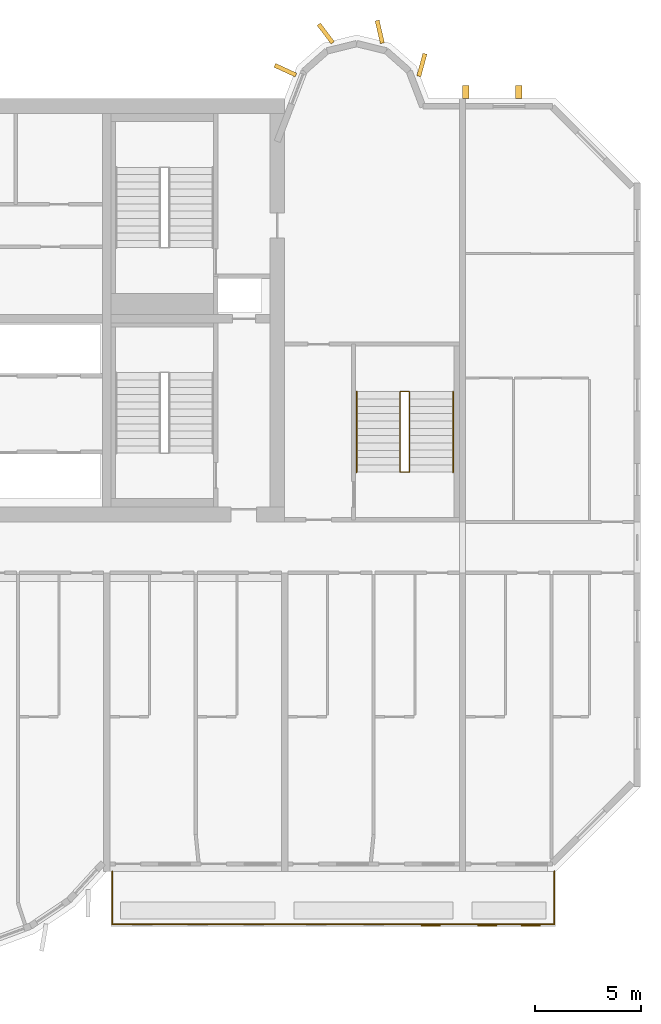
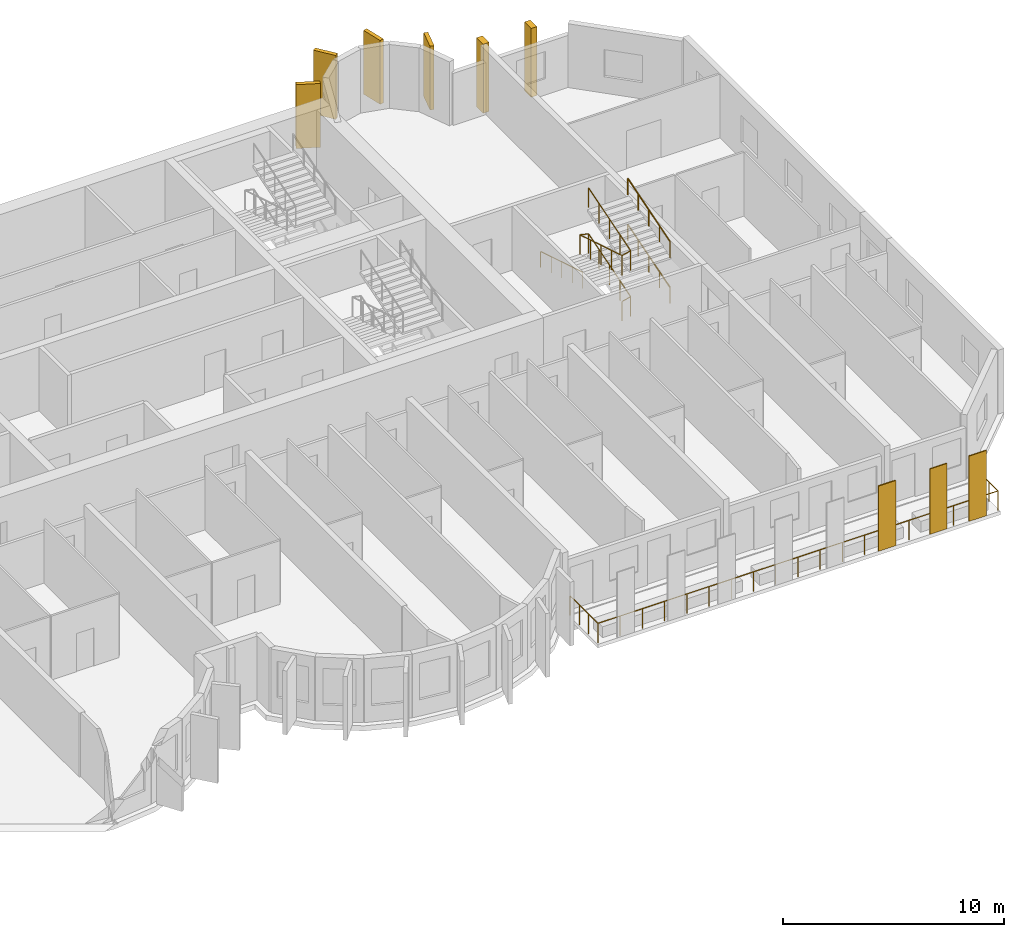
# One storey, part 12 of 13: 9 coverings, 5 railings.
"""IFC4 building model written with IfcOpenShell, lengths in metres."""

from ifc_helpers import new_model, si_unit, direction, frame, origin, origin_2d, place, context, subcontext, project, spatial, rectangle, circle, extrude, source, transform, mapped, material, layer, layer_set, material_profile, profile_set, type_object, element, save


model = new_model("IFC4")

# Units and contexts
model_context = context("Model", 3, precision=1e-05, world=origin(), true_north=direction((0.0, 1.0)))
body_context = subcontext(model_context, "Body", "Model", "MODEL_VIEW")
ifc_project = project(units=[si_unit("LENGTHUNIT", "METRE"), si_unit("AREAUNIT", "SQUARE_METRE"), si_unit("VOLUMEUNIT", "CUBIC_METRE"), si_unit("PLANEANGLEUNIT", "RADIAN"), si_unit("MASSUNIT", "GRAM", prefix="KILO")], contexts=[model_context])

# Site, building, storey
site_placement = place(None, origin())
site = spatial("IfcSite", under=ifc_project, at=site_placement, CompositionType="ELEMENT")
building_placement = place(site_placement, origin())
building = spatial("IfcBuilding", under=site, at=building_placement, Name="Vanashikhar Sky Hotel", CompositionType="ELEMENT")
storey_placement = place(building_placement, frame((0.0, 0.0, 193.39990234375)))
storey = spatial("IfcBuildingStorey", under=building, at=storey_placement, Name="L47", CompositionType="ELEMENT", Elevation=193.39990234375)

# Coverings
ifc_material_1 = material(Name="Terracotta", Category="masonry")
ifc_layer = layer(ifc_material_1, 0.06005859375)
ifc_layer_set = layer_set([ifc_layer], Name="Terracotta baguette screen")
covering_type_1 = type_object("IfcCoveringType", Name="Terracotta baguette screen", PredefinedType="CLADDING", material=ifc_layer_set)
shared_shape_1 = source(origin(), body_context, "Body", "SweptSolid", [
    extrude(rectangle(XDim=0.89990234375, YDim=0.06005859375, at=origin_2d()), origin(), (0.0, 0.0, 1.0), 3.60009765625),
])
for number, where, z_axis, x_axis, name in (
    (1, (82.5, 2.929931640625, -0.050048828125), (0.0, 0.0, 1.0), (1.0, 0.0, 0.0), "Terracotta screen"),
    (2, (85.175048828125, 2.929931640625, -0.050048828125), (0.0, 0.0, 1.0), (1.0, 0.0, 0.0), "Terracotta screen"),
    (3, (87.22509765625, 2.929931640625, -0.050048828125), (0.0, 0.0, 1.0), (1.0, 0.0, 0.0), "Terracotta screen"),
):
    element("IfcCovering", number, at=place(storey_placement, frame(where, z_axis=z_axis, x_axis=x_axis)), inside=storey, type_object=covering_type_1, Name=name, PredefinedType="CLADDING", context=body_context, shape_type="MappedRepresentation", body=[
        mapped(shared_shape_1, transform((0.0, 0.0, 0.0), scale=1.0)),
    ])
ifc_material_2 = material(Name="Concrete M60 dark", Category="concrete")
ifc_material_profile_1 = material_profile(ifc_material_2, rectangle(XDim=1.10009765625, YDim=0.199951171875, at=origin_2d()))
ifc_profile_set_1 = profile_set([ifc_material_profile_1], Name="Rear lobe fin 1100 x 200")
covering_type_2 = type_object("IfcCoveringType", Name="Rear lobe fin 1100 x 200", PredefinedType="CLADDING", material=ifc_profile_set_1)
shared_shape_2 = source(origin(), body_context, "Body", "SweptSolid", [
    extrude(rectangle(XDim=1.10009765625, YDim=0.199951171875, at=origin_2d()), origin(), (0.0, 0.0, 1.0), 3.52001953125),
])
for number, where, z_axis, x_axis, name in (
    (4, (75.63037109375, 43.33447265625, 0.0), (0.0, 0.0, 1.0), (-0.908004291068, 0.418960866193, 0.0), "Fin R2-1"),
    (5, (77.5380859375, 45.06640625, 0.0), (0.0, 0.0, 1.0), (-0.602065892195, 0.798446404874, 0.0), "Fin R2-2"),
    (6, (80.08984375, 45.1455078125, 0.0), (0.0, 0.0, 1.0), (-0.224644935864, 0.974440687159, 0.0), "Fin R2-3"),
    (7, (82.0791015625, 43.580078125, 0.0), (0.0, 0.0, 1.0), (0.262711264409, 0.964874495234, 0.0), "Fin R2-4"),
):
    element("IfcCovering", number, at=place(storey_placement, frame(where, z_axis=z_axis, x_axis=x_axis)), inside=storey, type_object=covering_type_2, Name=name, PredefinedType="CLADDING", context=body_context, shape_type="MappedRepresentation", body=[
        mapped(shared_shape_2, transform((0.0, 0.0, 0.0), scale=1.0)),
    ])

# Railing
ifc_material_3 = material(Name="Stainless steel 316", Category="steel")
railing_type_1 = type_object("IfcRailingType", Name="Balcony guard 1100", PredefinedType="GUARDRAIL", material=ifc_material_3)
shared_shape_3 = source(origin(), body_context, "Body", "SweptSolid", [
    extrude(circle(Radius=0.02392578125, at=origin_2d()), frame((0.0, 0.0, 1.076171875), z_axis=(0.0, -1.0, 0.0), x_axis=(1.0, 0.0, 0.0)), (0.0, 0.0, 1.0), 2.5),
    extrude(circle(Radius=0.02392578125, at=origin_2d()), frame((0.0, -2.5, 1.076171875), z_axis=(1.0, 0.0, 0.0), x_axis=(0.0, 1.0, 0.0)), (0.0, 0.0, 1.0), 20.880126953125),
    extrude(circle(Radius=0.02392578125, at=origin_2d()), frame((20.880126953125, -2.5, 1.076171875), z_axis=(0.0, 1.0, 0.0), x_axis=(-1.0, 0.0, 0.0)), (0.0, 0.0, 1.0), 2.5),
    extrude(circle(Radius=0.02099609375, at=origin_2d()), origin(), (0.0, 0.0, 1.0), 1.052001953125),
    extrude(circle(Radius=0.02099609375, at=origin_2d()), frame((0.0, -0.833251953125, 0.0)), (0.0, 0.0, 1.0), 1.052001953125),
    extrude(circle(Radius=0.02099609375, at=origin_2d()), frame((0.0, -1.666748046875, 0.0)), (0.0, 0.0, 1.0), 1.052001953125),
    extrude(circle(Radius=0.02099609375, at=origin_2d()), frame((0.0, -2.5, 0.0)), (0.0, 0.0, 1.0), 1.052001953125),
    extrude(circle(Radius=0.02099609375, at=origin_2d()), frame((1.159912109375, -2.5, 0.0)), (0.0, 0.0, 1.0), 1.052001953125),
    extrude(circle(Radius=0.02099609375, at=origin_2d()), frame((2.320068359375, -2.5, 0.0)), (0.0, 0.0, 1.0), 1.052001953125),
    extrude(circle(Radius=0.02099609375, at=origin_2d()), frame((3.47998046875, -2.5, 0.0)), (0.0, 0.0, 1.0), 1.052001953125),
    extrude(circle(Radius=0.02099609375, at=origin_2d()), frame((4.64013671875, -2.5, 0.0)), (0.0, 0.0, 1.0), 1.052001953125),
    extrude(circle(Radius=0.02099609375, at=origin_2d()), frame((5.800048828125, -2.5, 0.0)), (0.0, 0.0, 1.0), 1.052001953125),
    extrude(circle(Radius=0.02099609375, at=origin_2d()), frame((6.9599609375, -2.5, 0.0)), (0.0, 0.0, 1.0), 1.052001953125),
    extrude(circle(Radius=0.02099609375, at=origin_2d()), frame((8.1201171875, -2.5, 0.0)), (0.0, 0.0, 1.0), 1.052001953125),
    extrude(circle(Radius=0.02099609375, at=origin_2d()), frame((9.280029296875, -2.5, 0.0)), (0.0, 0.0, 1.0), 1.052001953125),
    extrude(circle(Radius=0.02099609375, at=origin_2d()), frame((10.43994140625, -2.5, 0.0)), (0.0, 0.0, 1.0), 1.052001953125),
    extrude(circle(Radius=0.02099609375, at=origin_2d()), frame((11.60009765625, -2.5, 0.0)), (0.0, 0.0, 1.0), 1.052001953125),
    extrude(circle(Radius=0.02099609375, at=origin_2d()), frame((12.760009765625, -2.5, 0.0)), (0.0, 0.0, 1.0), 1.052001953125),
    extrude(circle(Radius=0.02099609375, at=origin_2d()), frame((13.920166015625, -2.5, 0.0)), (0.0, 0.0, 1.0), 1.052001953125),
    extrude(circle(Radius=0.02099609375, at=origin_2d()), frame((15.080078125, -2.5, 0.0)), (0.0, 0.0, 1.0), 1.052001953125),
    extrude(circle(Radius=0.02099609375, at=origin_2d()), frame((16.239990234375, -2.5, 0.0)), (0.0, 0.0, 1.0), 1.052001953125),
    extrude(circle(Radius=0.02099609375, at=origin_2d()), frame((17.400146484375, -2.5, 0.0)), (0.0, 0.0, 1.0), 1.052001953125),
    extrude(circle(Radius=0.02099609375, at=origin_2d()), frame((18.56005859375, -2.5, 0.0)), (0.0, 0.0, 1.0), 1.052001953125),
    extrude(circle(Radius=0.02099609375, at=origin_2d()), frame((19.72021484375, -2.5, 0.0)), (0.0, 0.0, 1.0), 1.052001953125),
    extrude(circle(Radius=0.02099609375, at=origin_2d()), frame((20.880126953125, -2.5, 0.0)), (0.0, 0.0, 1.0), 1.052001953125),
    extrude(circle(Radius=0.02099609375, at=origin_2d()), frame((20.880126953125, -1.666748046875, 0.0)), (0.0, 0.0, 1.0), 1.052001953125),
    extrude(circle(Radius=0.02099609375, at=origin_2d()), frame((20.880126953125, -0.833251953125, 0.0)), (0.0, 0.0, 1.0), 1.052001953125),
    extrude(circle(Radius=0.02099609375, at=origin_2d()), frame((20.880126953125, 0.0, 0.0)), (0.0, 0.0, 1.0), 1.052001953125),
])
railing_1_placement = place(storey_placement, frame((67.4599609375, 5.5, -0.0498046875)))
element("IfcRailing", 8, at=railing_1_placement, inside=storey, type_object=railing_type_1, Name="Balcony guard", PredefinedType="GUARDRAIL", context=body_context, shape_type="MappedRepresentation", body=[
    mapped(shared_shape_3, transform((0.0, 0.0, 0.0), scale=1.0)),
])

# Coverings
ifc_material_profile_2 = material_profile(ifc_material_2, rectangle(XDim=0.60009765625, YDim=0.300048828125, at=origin_2d()))
ifc_profile_set_2 = profile_set([ifc_material_profile_2], Name="Rear rib 600 x 300")
covering_type_3 = type_object("IfcCoveringType", Name="Rear rib 600 x 300", PredefinedType="CLADDING", material=ifc_profile_set_2)
shared_shape_4 = source(origin(), body_context, "Body", "SweptSolid", [
    extrude(rectangle(XDim=0.60009765625, YDim=0.300048828125, at=origin_2d()), origin(), (0.0, 0.0, 1.0), 3.7998046875),
])
for number, where, z_axis, x_axis, name in (
    (9, (84.14990234375, 42.300048828125, -0.27978515625), (0.0, 0.0, 1.0), (0.0, 1.0, 0.0), "Rear rib"),
    (10, (86.64990234375, 42.300048828125, -0.27978515625), (0.0, 0.0, 1.0), (0.0, 1.0, 0.0), "Rear rib"),
):
    element("IfcCovering", number, at=place(storey_placement, frame(where, z_axis=z_axis, x_axis=x_axis)), inside=storey, type_object=covering_type_3, Name=name, PredefinedType="CLADDING", context=body_context, shape_type="MappedRepresentation", body=[
        mapped(shared_shape_4, transform((0.0, 0.0, 0.0), scale=1.0)),
    ])

# Railings
ifc_material_4 = material(Name="Steel S355", Category="steel")
railing_type_2 = type_object("IfcRailingType", Name="Stair handrail 900", PredefinedType="HANDRAIL", material=ifc_material_4)
shared_shape_5 = source(origin(), body_context, "Body", "SweptSolid", [
    extrude(circle(Radius=0.02392578125, at=origin_2d()), frame((0.0, 0.0, 0.8759765625), z_axis=(0.0, 0.956345846891, 0.292237268557), x_axis=(-1.0, 0.0, 0.0)), (0.0, 0.0, 1.0), 3.97314453125),
    extrude(circle(Radius=0.02099609375, at=origin_2d()), origin(), (0.0, 0.0, 1.0), 0.851806640625),
    extrude(circle(Radius=0.02099609375, at=origin_2d()), frame((0.0, 0.949951171875, 0.290283203125)), (0.0, 0.0, 1.0), 0.851806640625),
    extrude(circle(Radius=0.02099609375, at=origin_2d()), frame((0.0, 1.89990234375, 0.58056640625)), (0.0, 0.0, 1.0), 0.851806640625),
    extrude(circle(Radius=0.02099609375, at=origin_2d()), frame((0.0, 2.849853515625, 0.870849609375)), (0.0, 0.0, 1.0), 0.851806640625),
    extrude(circle(Radius=0.02099609375, at=origin_2d()), frame((0.0, 3.7998046875, 1.1611328125)), (0.0, 0.0, 1.0), 0.851806640625),
])
for number, where, name in (
    (11, (83.550048828125, 24.35009765625, 0.105712890625), "Exit stair 4 handrail"),
    (12, (83.550048828125, 24.35009765625, 2.638916015625), "Exit stair 4 handrail"),
):
    element("IfcRailing", number, at=place(storey_placement, frame(where)), inside=storey, type_object=railing_type_2, Name=name, PredefinedType="HANDRAIL", context=body_context, shape_type="MappedRepresentation", body=[
        mapped(shared_shape_5, transform((0.0, 0.0, 0.0), scale=1.0)),
    ])
shared_shape_6 = source(origin(), body_context, "Body", "SweptSolid", [
    extrude(circle(Radius=0.02392578125, at=origin_2d()), frame((0.0, 0.0, 0.8759765625), z_axis=(0.0, -0.956345846891, 0.292237268557), x_axis=(1.0, 0.0, 0.0)), (0.0, 0.0, 1.0), 3.97314453125),
    extrude(circle(Radius=0.02099609375, at=origin_2d()), origin(), (0.0, 0.0, 1.0), 0.851806640625),
    extrude(circle(Radius=0.02099609375, at=origin_2d()), frame((0.0, -0.949951171875, 0.290283203125)), (0.0, 0.0, 1.0), 0.851806640625),
    extrude(circle(Radius=0.02099609375, at=origin_2d()), frame((0.0, -1.89990234375, 0.58056640625)), (0.0, 0.0, 1.0), 0.851806640625),
    extrude(circle(Radius=0.02099609375, at=origin_2d()), frame((0.0, -2.849853515625, 0.870849609375)), (0.0, 0.0, 1.0), 0.851806640625),
    extrude(circle(Radius=0.02099609375, at=origin_2d()), frame((0.0, -3.7998046875, 1.1611328125)), (0.0, 0.0, 1.0), 0.851806640625),
])
railing_2_placement = place(storey_placement, frame((79.0, 28.14990234375, 1.372314453125)))
element("IfcRailing", 13, at=railing_2_placement, inside=storey, type_object=railing_type_2, Name="Exit stair 4 handrail", PredefinedType="HANDRAIL", context=body_context, shape_type="MappedRepresentation", body=[
    mapped(shared_shape_6, transform((0.0, 0.0, 0.0), scale=1.0)),
])
railing_type_3 = type_object("IfcRailingType", Name="Stair guard 1100", PredefinedType="GUARDRAIL", material=ifc_material_4)
shared_shape_7 = source(origin(), body_context, "Body", "SweptSolid", [
    extrude(circle(Radius=0.02392578125, at=origin_2d()), frame((0.0, 0.0, 1.076171875), z_axis=(0.973493315427, 0.0, 0.228715466945), x_axis=(0.0, 1.0, 0.0)), (0.0, 0.0, 1.0), 0.462158203125),
    extrude(circle(Radius=0.02392578125, at=origin_2d()), frame((0.449951171875, 0.0, 1.181640625), z_axis=(0.0, 0.956345846891, 0.292237268557), x_axis=(-1.0, 0.0, 0.0)), (0.0, 0.0, 1.0), 3.97314453125),
    extrude(circle(Radius=0.02392578125, at=origin_2d()), frame((0.449951171875, 3.7998046875, 2.3427734375), z_axis=(-0.973610808694, 0.0, 0.228214796178), x_axis=(0.0, -1.0, 0.0)), (0.0, 0.0, 1.0), 0.462158203125),
    extrude(circle(Radius=0.02392578125, at=origin_2d()), frame((0.0, 3.7998046875, 2.4482421875), z_axis=(0.0, -0.956345846891, 0.292237268557), x_axis=(1.0, 0.0, 0.0)), (0.0, 0.0, 1.0), 3.97314453125),
    extrude(circle(Radius=0.02392578125, at=origin_2d()), frame((0.0, 0.0, 3.609375), z_axis=(0.973610808694, 0.0, 0.228214796178), x_axis=(0.0, 1.0, 0.0)), (0.0, 0.0, 1.0), 0.462158203125),
    extrude(circle(Radius=0.02392578125, at=origin_2d()), frame((0.449951171875, 0.0, 3.71484375), z_axis=(0.0, 0.956345846891, 0.292237268557), x_axis=(-1.0, 0.0, 0.0)), (0.0, 0.0, 1.0), 3.97314453125),
    extrude(circle(Radius=0.02099609375, at=origin_2d()), origin(), (0.0, 0.0, 1.0), 1.052001953125),
    extrude(circle(Radius=0.02099609375, at=origin_2d()), frame((0.449951171875, 0.0, 0.105712890625)), (0.0, 0.0, 1.0), 1.052001953125),
    extrude(circle(Radius=0.02099609375, at=origin_2d()), frame((0.449951171875, 0.949951171875, 0.39599609375)), (0.0, 0.0, 1.0), 1.052001953125),
    extrude(circle(Radius=0.02099609375, at=origin_2d()), frame((0.449951171875, 1.89990234375, 0.686279296875)), (0.0, 0.0, 1.0), 1.052001953125),
    extrude(circle(Radius=0.02099609375, at=origin_2d()), frame((0.449951171875, 2.849853515625, 0.9765625)), (0.0, 0.0, 1.0), 1.052001953125),
    extrude(circle(Radius=0.02099609375, at=origin_2d()), frame((0.449951171875, 3.7998046875, 1.266845703125)), (0.0, 0.0, 1.0), 1.052001953125),
    extrude(circle(Radius=0.02099609375, at=origin_2d()), frame((0.0, 3.7998046875, 1.372314453125)), (0.0, 0.0, 1.0), 1.052001953125),
    extrude(circle(Radius=0.02099609375, at=origin_2d()), frame((0.0, 2.849853515625, 1.66259765625)), (0.0, 0.0, 1.0), 1.052001953125),
    extrude(circle(Radius=0.02099609375, at=origin_2d()), frame((0.0, 1.89990234375, 1.952880859375)), (0.0, 0.0, 1.0), 1.052001953125),
    extrude(circle(Radius=0.02099609375, at=origin_2d()), frame((0.0, 0.949951171875, 2.2431640625)), (0.0, 0.0, 1.0), 1.052001953125),
    extrude(circle(Radius=0.02099609375, at=origin_2d()), frame((0.0, 0.0, 2.533447265625)), (0.0, 0.0, 1.0), 1.052001953125),
    extrude(circle(Radius=0.02099609375, at=origin_2d()), frame((0.449951171875, 0.0, 2.638916015625)), (0.0, 0.0, 1.0), 1.052001953125),
    extrude(circle(Radius=0.02099609375, at=origin_2d()), frame((0.449951171875, 0.949951171875, 2.92919921875)), (0.0, 0.0, 1.0), 1.052001953125),
    extrude(circle(Radius=0.02099609375, at=origin_2d()), frame((0.449951171875, 1.89990234375, 3.219482421875)), (0.0, 0.0, 1.0), 1.052001953125),
    extrude(circle(Radius=0.02099609375, at=origin_2d()), frame((0.449951171875, 2.849853515625, 3.509765625)), (0.0, 0.0, 1.0), 1.052001953125),
    extrude(circle(Radius=0.02099609375, at=origin_2d()), frame((0.449951171875, 3.7998046875, 3.800048828125)), (0.0, 0.0, 1.0), 1.052001953125),
])
railing_3_placement = place(storey_placement, frame((81.050048828125, 24.35009765625, 0.0)))
element("IfcRailing", 14, at=railing_3_placement, inside=storey, type_object=railing_type_3, Name="Exit stair 4 guard", PredefinedType="GUARDRAIL", context=body_context, shape_type="MappedRepresentation", body=[
    mapped(shared_shape_7, transform((0.0, 0.0, 0.0), scale=1.0)),
])

save(model, "model.ifc")
